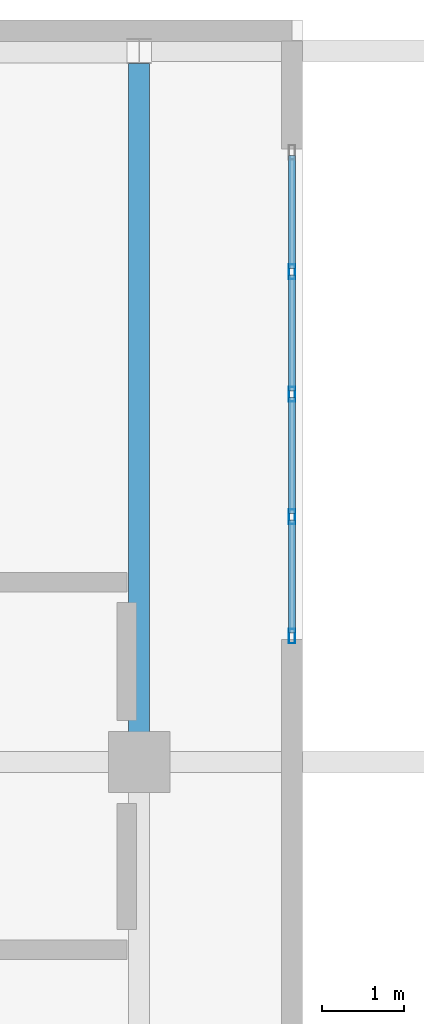
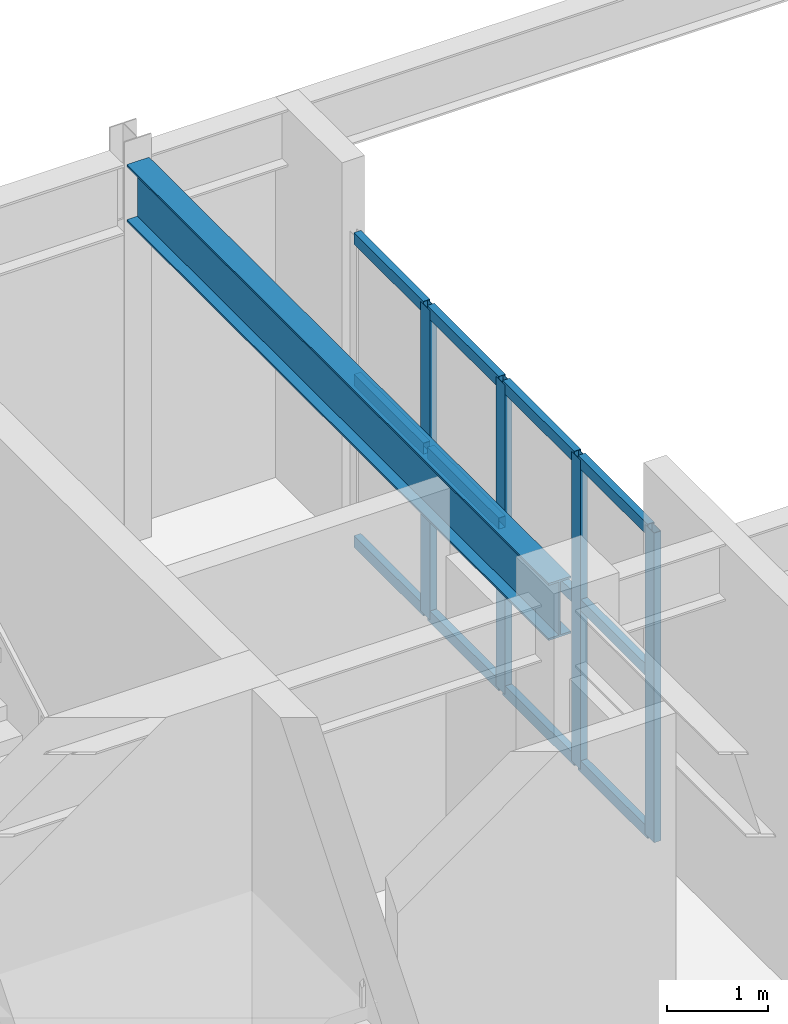
# One storey, part 2 of 9: 16 members, 1 beam, 1 element without a shape of its own.
"""IFC4 building model written with IfcOpenShell, lengths in metres."""

from ifc_helpers import new_model, si_unit, direction, frame, origin, origin_2d, place, context, subcontext, project, spatial, hollow_rectangle, i_section, extrude, material, layer, layer_set, material_profile, profile_set, type_object, element, aggregate, save


model = new_model("IFC4")

# Units and contexts
model_context = context("Model", 3, precision=1e-05, world=origin(), true_north=direction((0.0, 1.0)))
body_context = subcontext(model_context, "Body", "Model", "MODEL_VIEW")
ifc_project = project(units=[si_unit("LENGTHUNIT", "METRE"), si_unit("AREAUNIT", "SQUARE_METRE"), si_unit("VOLUMEUNIT", "CUBIC_METRE"), si_unit("PLANEANGLEUNIT", "RADIAN"), si_unit("MASSUNIT", "GRAM", prefix="KILO")], contexts=[model_context])

# Site, building, storey
site_placement = place(None, origin())
site = spatial("IfcSite", under=ifc_project, at=site_placement, CompositionType="ELEMENT")
building_placement = place(site_placement, origin())
building = spatial("IfcBuilding", under=site, at=building_placement, Name="Solanera Arch Residences", CompositionType="ELEMENT")
storey_placement = place(building_placement, frame((0.0, 0.0, 292.780029296875)))
storey = spatial("IfcBuildingStorey", under=building, at=storey_placement, Name="L83", CompositionType="ELEMENT", Elevation=292.780029296875)

# Curtain wall, members
ifc_material_1 = material(Name="Anodised Aluminium Alloy 6063-T6", Category="aluminium")
ifc_layer = layer(ifc_material_1, 0.179931640625)
ifc_layer_set = layer_set([ifc_layer], Name="Anodised Aluminium Alloy 6063-T6")
curtain_wall_type = type_object("IfcCurtainWallType", Name="CW-6 Split-Top Crown Lantern Curtain Wall", PredefinedType="USERDEFINED", material=ifc_layer_set)
curtain_wall_placement = place(storey_placement, origin())
curtain_wall = element("IfcCurtainWall", 1, at=curtain_wall_placement, inside=storey, type_object=curtain_wall_type, Name="L83 W Crown Cleft Lantern Curtain Wall", ObjectType="CURTAIN_WALL", PredefinedType="USERDEFINED")
ifc_material_2 = material(Name="Anodised Aluminium Alloy 6063-T6", Category="aluminium")
ifc_material_profile_1 = material_profile(ifc_material_2, hollow_rectangle(XDim=0.080078125, YDim=0.179931640625, WallThickness=0.00390625, at=origin_2d()))
ifc_profile_set_1 = profile_set([ifc_material_profile_1], Name="Anodised Aluminium Alloy 6063-T6")
member_type_1 = type_object("IfcMemberType", Name="Curtain Wall Mullion ALU-MUL-80X180", PredefinedType="MULLION", material=ifc_profile_set_1)
member_1_placement = place(storey_placement, frame((22.669921875, 32.239990234375, 0.0), z_axis=(0.0, 0.0, 1.0), x_axis=(-1.0, 0.0, 0.0)))
member_1 = element("IfcMember", 2, at=member_1_placement, type_object=member_type_1, Name="CW-6 mullion 1", PredefinedType="MULLION", context=body_context, shape_type="SweptSolid", body=[
    extrude(hollow_rectangle(XDim=0.080078125, YDim=0.179931640625, WallThickness=0.00390625, at=origin_2d()), origin(), (0.0, 0.0, 1.0), 3.760009765625),
])
member_2_placement = place(storey_placement, frame((22.669921875, 33.699951171875, 0.0), z_axis=(0.0, 0.0, 1.0), x_axis=(-1.0, 0.0, 0.0)))
member_2 = element("IfcMember", 3, at=member_2_placement, type_object=member_type_1, Name="CW-6 mullion 2", PredefinedType="MULLION", context=body_context, shape_type="SweptSolid", body=[
    extrude(hollow_rectangle(XDim=0.080078125, YDim=0.179931640625, WallThickness=0.00390625, at=origin_2d()), origin(), (0.0, 0.0, 1.0), 3.760009765625),
])
member_3_placement = place(storey_placement, frame((22.669921875, 35.199951171875, 0.0), z_axis=(0.0, 0.0, 1.0), x_axis=(-1.0, 0.0, 0.0)))
member_3 = element("IfcMember", 4, at=member_3_placement, type_object=member_type_1, Name="CW-6 mullion 3", PredefinedType="MULLION", context=body_context, shape_type="SweptSolid", body=[
    extrude(hollow_rectangle(XDim=0.080078125, YDim=0.179931640625, WallThickness=0.00390625, at=origin_2d()), origin(), (0.0, 0.0, 1.0), 3.760009765625),
])
member_4_placement = place(storey_placement, frame((22.669921875, 36.699951171875, 0.0), z_axis=(0.0, 0.0, 1.0), x_axis=(-1.0, 0.0, 0.0)))
member_4 = element("IfcMember", 5, at=member_4_placement, type_object=member_type_1, Name="CW-6 mullion 4", PredefinedType="MULLION", context=body_context, shape_type="SweptSolid", body=[
    extrude(hollow_rectangle(XDim=0.080078125, YDim=0.179931640625, WallThickness=0.00390625, at=origin_2d()), origin(), (0.0, 0.0, 1.0), 3.760009765625),
])
ifc_material_3 = material(Name="Anodised Aluminium Alloy 6063-T6", Category="aluminium")
ifc_material_profile_2 = material_profile(ifc_material_3, hollow_rectangle(XDim=0.080078125, YDim=0.139892578125, WallThickness=0.00390625, at=origin_2d()))
ifc_profile_set_2 = profile_set([ifc_material_profile_2], Name="Anodised Aluminium Alloy 6063-T6")
member_type_2 = type_object("IfcMemberType", Name="Curtain Wall Transom ALU-TRN-80X140", PredefinedType="USERDEFINED", material=ifc_profile_set_2)
member_5_placement = place(storey_placement, frame((22.669921875, 32.280029296875, 0.0400390625), z_axis=(0.0, 1.0, 0.0), x_axis=(-1.0, 0.0, 0.0)))
member_5 = element("IfcMember", 6, at=member_5_placement, type_object=member_type_2, Name="CW-6 transom 1.1", ObjectType="TRANSOM", PredefinedType="USERDEFINED", context=body_context, shape_type="SweptSolid", body=[
    extrude(hollow_rectangle(XDim=0.080078125, YDim=0.139892578125, WallThickness=0.00390625, at=origin_2d()), origin(), (0.0, 0.0, 1.0), 1.3798828125),
])
member_6_placement = place(storey_placement, frame((22.669921875, 32.280029296875, 2.0), z_axis=(0.0, 1.0, 0.0), x_axis=(-1.0, 0.0, 0.0)))
member_6 = element("IfcMember", 7, at=member_6_placement, type_object=member_type_2, Name="CW-6 transom 1.2", ObjectType="TRANSOM", PredefinedType="USERDEFINED", context=body_context, shape_type="SweptSolid", body=[
    extrude(hollow_rectangle(XDim=0.080078125, YDim=0.139892578125, WallThickness=0.00390625, at=origin_2d()), origin(), (0.0, 0.0, 1.0), 1.3798828125),
])
member_7_placement = place(storey_placement, frame((22.669921875, 32.280029296875, 3.719970703125), z_axis=(0.0, 1.0, 0.0), x_axis=(-1.0, 0.0, 0.0)))
member_7 = element("IfcMember", 8, at=member_7_placement, type_object=member_type_2, Name="CW-6 transom 1.3", ObjectType="TRANSOM", PredefinedType="USERDEFINED", context=body_context, shape_type="SweptSolid", body=[
    extrude(hollow_rectangle(XDim=0.080078125, YDim=0.139892578125, WallThickness=0.00390625, at=origin_2d()), origin(), (0.0, 0.0, 1.0), 1.3798828125),
])
member_8_placement = place(storey_placement, frame((22.669921875, 33.739990234375, 0.0400390625), z_axis=(0.0, 1.0, 0.0), x_axis=(-1.0, 0.0, 0.0)))
member_8 = element("IfcMember", 9, at=member_8_placement, type_object=member_type_2, Name="CW-6 transom 2.1", ObjectType="TRANSOM", PredefinedType="USERDEFINED", context=body_context, shape_type="SweptSolid", body=[
    extrude(hollow_rectangle(XDim=0.080078125, YDim=0.139892578125, WallThickness=0.00390625, at=origin_2d()), origin(), (0.0, 0.0, 1.0), 1.419921875),
])
member_9_placement = place(storey_placement, frame((22.669921875, 33.739990234375, 2.0), z_axis=(0.0, 1.0, 0.0), x_axis=(-1.0, 0.0, 0.0)))
member_9 = element("IfcMember", 10, at=member_9_placement, type_object=member_type_2, Name="CW-6 transom 2.2", ObjectType="TRANSOM", PredefinedType="USERDEFINED", context=body_context, shape_type="SweptSolid", body=[
    extrude(hollow_rectangle(XDim=0.080078125, YDim=0.139892578125, WallThickness=0.00390625, at=origin_2d()), origin(), (0.0, 0.0, 1.0), 1.419921875),
])
member_10_placement = place(storey_placement, frame((22.669921875, 33.739990234375, 3.719970703125), z_axis=(0.0, 1.0, 0.0), x_axis=(-1.0, 0.0, 0.0)))
member_10 = element("IfcMember", 11, at=member_10_placement, type_object=member_type_2, Name="CW-6 transom 2.3", ObjectType="TRANSOM", PredefinedType="USERDEFINED", context=body_context, shape_type="SweptSolid", body=[
    extrude(hollow_rectangle(XDim=0.080078125, YDim=0.139892578125, WallThickness=0.00390625, at=origin_2d()), origin(), (0.0, 0.0, 1.0), 1.419921875),
])
member_11_placement = place(storey_placement, frame((22.669921875, 35.239990234375, 0.0400390625), z_axis=(0.0, 1.0, 0.0), x_axis=(-1.0, 0.0, 0.0)))
member_11 = element("IfcMember", 12, at=member_11_placement, type_object=member_type_2, Name="CW-6 transom 3.1", ObjectType="TRANSOM", PredefinedType="USERDEFINED", context=body_context, shape_type="SweptSolid", body=[
    extrude(hollow_rectangle(XDim=0.080078125, YDim=0.139892578125, WallThickness=0.00390625, at=origin_2d()), origin(), (0.0, 0.0, 1.0), 1.419921875),
])
member_12_placement = place(storey_placement, frame((22.669921875, 35.239990234375, 2.0), z_axis=(0.0, 1.0, 0.0), x_axis=(-1.0, 0.0, 0.0)))
member_12 = element("IfcMember", 13, at=member_12_placement, type_object=member_type_2, Name="CW-6 transom 3.2", ObjectType="TRANSOM", PredefinedType="USERDEFINED", context=body_context, shape_type="SweptSolid", body=[
    extrude(hollow_rectangle(XDim=0.080078125, YDim=0.139892578125, WallThickness=0.00390625, at=origin_2d()), origin(), (0.0, 0.0, 1.0), 1.419921875),
])
member_13_placement = place(storey_placement, frame((22.669921875, 35.239990234375, 3.719970703125), z_axis=(0.0, 1.0, 0.0), x_axis=(-1.0, 0.0, 0.0)))
member_13 = element("IfcMember", 14, at=member_13_placement, type_object=member_type_2, Name="CW-6 transom 3.3", ObjectType="TRANSOM", PredefinedType="USERDEFINED", context=body_context, shape_type="SweptSolid", body=[
    extrude(hollow_rectangle(XDim=0.080078125, YDim=0.139892578125, WallThickness=0.00390625, at=origin_2d()), origin(), (0.0, 0.0, 1.0), 1.419921875),
])
member_14_placement = place(storey_placement, frame((22.669921875, 36.739990234375, 0.0400390625), z_axis=(0.0, 1.0, 0.0), x_axis=(-1.0, 0.0, 0.0)))
member_14 = element("IfcMember", 15, at=member_14_placement, type_object=member_type_2, Name="CW-6 transom 4.1", ObjectType="TRANSOM", PredefinedType="USERDEFINED", context=body_context, shape_type="SweptSolid", body=[
    extrude(hollow_rectangle(XDim=0.080078125, YDim=0.139892578125, WallThickness=0.00390625, at=origin_2d()), origin(), (0.0, 0.0, 1.0), 1.380126953125),
])
member_15_placement = place(storey_placement, frame((22.669921875, 36.739990234375, 2.0), z_axis=(0.0, 1.0, 0.0), x_axis=(-1.0, 0.0, 0.0)))
member_15 = element("IfcMember", 16, at=member_15_placement, type_object=member_type_2, Name="CW-6 transom 4.2", ObjectType="TRANSOM", PredefinedType="USERDEFINED", context=body_context, shape_type="SweptSolid", body=[
    extrude(hollow_rectangle(XDim=0.080078125, YDim=0.139892578125, WallThickness=0.00390625, at=origin_2d()), origin(), (0.0, 0.0, 1.0), 1.380126953125),
])
member_16_placement = place(storey_placement, frame((22.669921875, 36.739990234375, 3.719970703125), z_axis=(0.0, 1.0, 0.0), x_axis=(-1.0, 0.0, 0.0)))
member_16 = element("IfcMember", 17, at=member_16_placement, type_object=member_type_2, Name="CW-6 transom 4.3", ObjectType="TRANSOM", PredefinedType="USERDEFINED", context=body_context, shape_type="SweptSolid", body=[
    extrude(hollow_rectangle(XDim=0.080078125, YDim=0.139892578125, WallThickness=0.00390625, at=origin_2d()), origin(), (0.0, 0.0, 1.0), 1.380126953125),
])
aggregate(curtain_wall, [member_1, member_2, member_3, member_4, member_5, member_6, member_7, member_8, member_9, member_10, member_11, member_12, member_13, member_14, member_15, member_16])

# Beam
ifc_material_4 = material(Name="Steel S355 (ASTM A992 / A572 Grade 50)", Category="steel")
ifc_material_profile_3 = material_profile(ifc_material_4, i_section(OverallWidth=0.256103515625, OverallDepth=0.693115234375, WebThickness=0.014404296875, FlangeThickness=0.023681640625, at=origin_2d()))
ifc_profile_set_3 = profile_set([ifc_material_profile_3], Name="Steel S355 (ASTM A992 / A572 Grade 50)")
beam_type = type_object("IfcBeamType", Name="Primary Beam W690X170", PredefinedType="BEAM", material=ifc_profile_set_3)
beam_placement = place(storey_placement, frame((20.800048828125, 30.85400390625, 4.27294921875), z_axis=(0.0, 1.0, 0.0), x_axis=(-1.0, 0.0, 0.0)))
element("IfcBeam", 18, at=beam_placement, inside=storey, type_object=beam_type, Name="BM-L83-CR-W4", PredefinedType="BEAM", context=body_context, shape_type="SweptSolid", body=[
    extrude(i_section(OverallWidth=0.256103515625, OverallDepth=0.693115234375, WebThickness=0.014404296875, FlangeThickness=0.023681640625, at=origin_2d()), origin(), (0.0, 0.0, 1.0), 8.39208984375),
])

save(model, "model.ifc")
